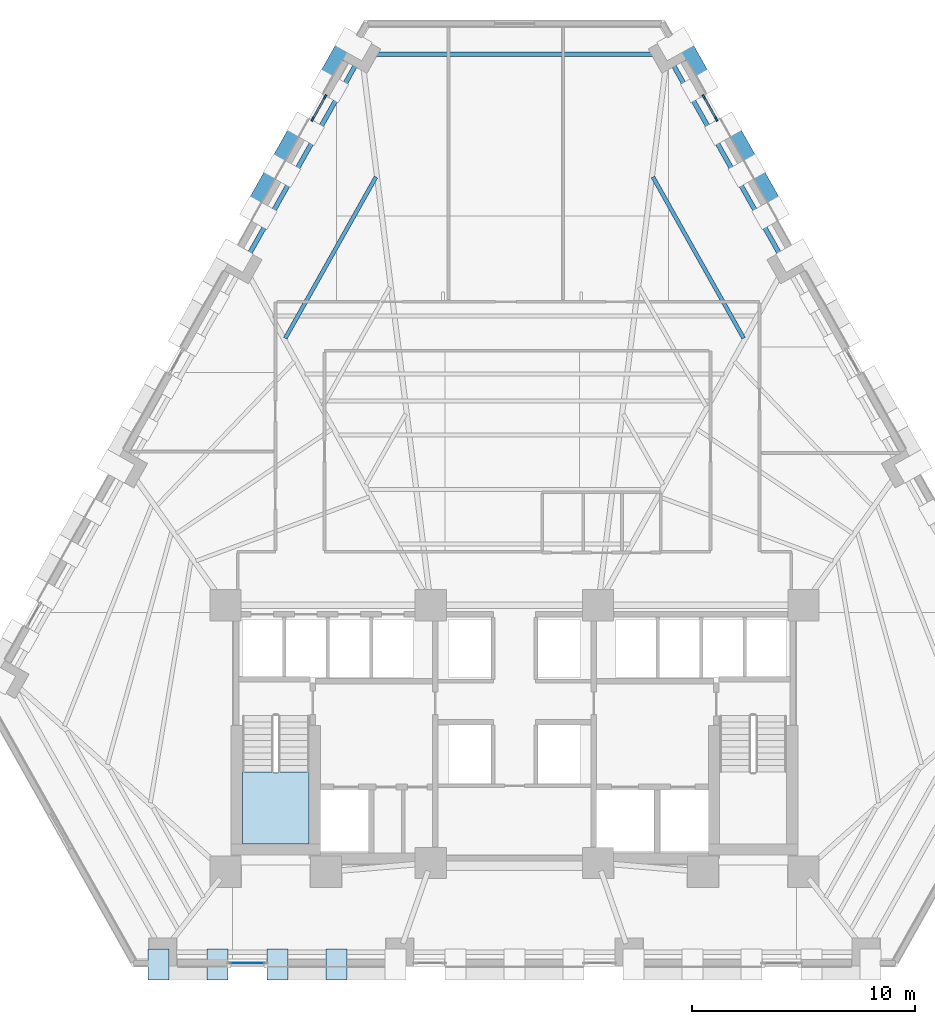
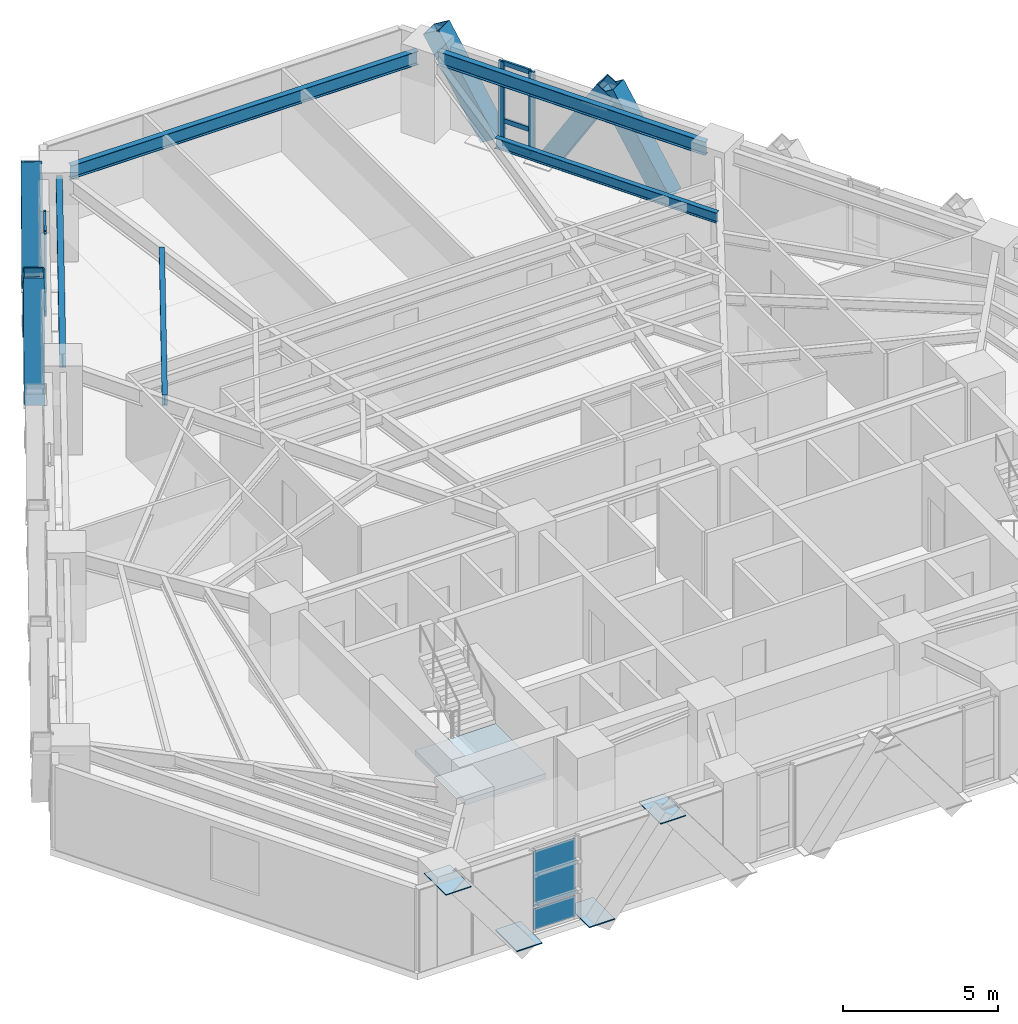
# One storey, part 5 of 13: 16 members, 6 plates, 5 beams, 1 slab, 4 elements without a shape of their own.
"""IFC4 building model written with IfcOpenShell, lengths in metres."""

import ifcopenshell
import ifcopenshell.guid

model = None  # the IFC model being written
_history = None  # IfcOwnerHistory: only IFC2X3 demands one
_inside = {}  # id of a spatial element -> (the spatial element, [elements in it])
_under = {}  # id of a project, library or spatial element -> (it, [spatial elements below it])
_declared = {}  # id of a project -> (the project, [libraries it declares])
_typed = {}  # id of a type object -> (the type object, [elements of that type])
_made_of = {}  # id of a material, layer set ... -> (it, [elements and type objects made of it])


def new_model(schema):
    """Start an empty IFC model of exactly this schema.

    Asked for "IFC4X3", IfcOpenShell would pick the latest addendum, in which some entities
    have other attributes; the version numbers below select the first issue.
    IFC2X3 requires an IfcOwnerHistory on every rooted entity: one is made here for all.
    """
    global model, _history
    if schema == "IFC4X3":
        model = ifcopenshell.file(schema_version=(4, 3, 0, 0))
    else:
        model = ifcopenshell.file(schema=schema)
    _inside.clear()
    _under.clear()
    _declared.clear()
    _typed.clear()
    _made_of.clear()
    _history = None
    if model.schema == "IFC2X3":
        org = make("IfcOrganization", Name="unknown")
        user = make(
            "IfcPersonAndOrganization",
            ThePerson=make("IfcPerson", FamilyName="unknown"),
            TheOrganization=org,
        )
        app = make(
            "IfcApplication",
            ApplicationDeveloper=org,
            Version="unknown",
            ApplicationFullName="unknown",
            ApplicationIdentifier="unknown",
        )
        _history = make(
            "IfcOwnerHistory",
            OwningUser=user,
            OwningApplication=app,
            ChangeAction="ADDED",
            CreationDate=0,
        )
    return model


def make(cls, **values):
    """One entity of the class cls with the attributes given. An attribute that is None is left unset."""
    return model.create_entity(
        cls, **{name: value for name, value in values.items() if value is not None}
    )


def rooted(cls, **values):
    """An entity with a GlobalId (a new one), such as an element, a storey or a relation."""
    return make(cls, GlobalId=ifcopenshell.guid.new(), OwnerHistory=_history, **values)


def si_unit(unit_type, name, prefix=None):
    """IfcSIUnit, for example si_unit("LENGTHUNIT", "METRE", prefix="MILLI")."""
    return make("IfcSIUnit", UnitType=unit_type, Prefix=prefix, Name=name)


def assignment(units):
    """IfcUnitAssignment: the units of a project."""
    return None if units is None else make("IfcUnitAssignment", Units=units)


def point(xyz):
    """IfcCartesianPoint."""
    return None if xyz is None else make("IfcCartesianPoint", Coordinates=xyz)


def direction(xyz):
    """IfcDirection."""
    return None if xyz is None else make("IfcDirection", DirectionRatios=xyz)


def frame(location, z_axis=None, x_axis=None):
    """IfcAxis2Placement3D, a coordinate frame: its origin and axes. An axis left out is left unset."""
    return make(
        "IfcAxis2Placement3D",
        Location=point(location),
        Axis=direction(z_axis),
        RefDirection=direction(x_axis),
    )


def frame_2d(location, x_axis=None):
    """IfcAxis2Placement2D, a coordinate frame in the plane: its origin and x axis."""
    return make(
        "IfcAxis2Placement2D", Location=point(location), RefDirection=direction(x_axis)
    )


def origin():
    """The frame at (0, 0, 0) with its axes left unset."""
    return frame((0.0, 0.0, 0.0))


def origin_2d():
    """The frame at (0, 0) in the plane with its x axis left unset."""
    return frame_2d((0.0, 0.0))


def place(relative_to, where):
    """IfcLocalPlacement: puts the frame where relative to a parent placement (None: the world)."""
    return make(
        "IfcLocalPlacement", PlacementRelTo=relative_to, RelativePlacement=where
    )


def context(
    kind, dimensions, precision=None, world=None, true_north=None, identifier=None
):
    """IfcGeometricRepresentationContext, for example the 3D "Model" context."""
    return make(
        "IfcGeometricRepresentationContext",
        ContextIdentifier=identifier,
        ContextType=kind,
        CoordinateSpaceDimension=dimensions,
        Precision=precision,
        WorldCoordinateSystem=world,
        TrueNorth=true_north,
    )


def subcontext(parent, identifier, kind, view, scale=None):
    """IfcGeometricRepresentationSubContext, for example "Body" below "Model"."""
    return make(
        "IfcGeometricRepresentationSubContext",
        ContextIdentifier=identifier,
        ContextType=kind,
        ParentContext=parent,
        TargetScale=scale,
        TargetView=view,
    )


def project(units=None, contexts=None):
    """IfcProject with its units and contexts."""
    return rooted(
        "IfcProject",
        Name="project",
        RepresentationContexts=contexts,
        UnitsInContext=assignment(units),
    )


def spatial(cls, under=None, at=None, **own):
    """A site, building, storey or space (cls), placed at a placement, below another one or the project."""
    s = rooted(cls, ObjectPlacement=at, **own)
    if under is not None:
        _under.setdefault(under.id(), (under, []))[1].append(s)
    return s


def polyline(points):
    """IfcPolyline through the points."""
    return make("IfcPolyline", Points=[point(p) for p in points])


def profile(cls, at=None, kind="AREA", **sizes):
    """A parametric profile (cls). Its sizes go by their IFC names, for example OverallWidth=200.0."""
    return make(cls, ProfileType=kind, Position=at, **sizes)


def rectangle(**sizes):
    """IfcRectangleProfileDef."""
    return profile("IfcRectangleProfileDef", **sizes)


def hollow_rectangle(**sizes):
    """IfcRectangleHollowProfileDef."""
    return profile("IfcRectangleHollowProfileDef", **sizes)


def i_section(**sizes):
    """IfcIShapeProfileDef."""
    return profile("IfcIShapeProfileDef", **sizes)


def outline(outer, holes=None, kind="AREA"):
    """IfcArbitraryClosedProfileDef: a profile drawn as a closed curve; with holes, ...WithVoids."""
    if holes is None:
        return make("IfcArbitraryClosedProfileDef", ProfileType=kind, OuterCurve=outer)
    return make(
        "IfcArbitraryProfileDefWithVoids",
        ProfileType=kind,
        OuterCurve=outer,
        InnerCurves=holes,
    )


def extrude(swept, where, along, depth):
    """IfcExtrudedAreaSolid: the profile swept, set in the frame where, extruded along a direction by depth."""
    return make(
        "IfcExtrudedAreaSolid",
        SweptArea=swept,
        Position=where,
        ExtrudedDirection=direction(along),
        Depth=depth,
    )


def shape(context_of_items, identifier, shape_type, items):
    """IfcShapeRepresentation: the items that make up one representation, for example the "Body"."""
    return make(
        "IfcShapeRepresentation",
        ContextOfItems=context_of_items,
        RepresentationIdentifier=identifier,
        RepresentationType=shape_type,
        Items=items,
    )


def material(Name=None, Category=None):
    """IfcMaterial."""
    return make("IfcMaterial", Name=Name, Category=Category)


def layer(
    of_material, thickness, ventilated=None, Name=None, Category=None, Priority=None
):
    """IfcMaterialLayer: one layer of a wall or slab, of a material (None: an air gap)."""
    return make(
        "IfcMaterialLayer",
        Material=of_material,
        LayerThickness=thickness,
        IsVentilated=ventilated,
        Name=Name,
        Category=Category,
        Priority=Priority,
    )


def layer_set(layers, Name=None):
    """IfcMaterialLayerSet."""
    return make("IfcMaterialLayerSet", MaterialLayers=layers, LayerSetName=Name)


def material_profile(
    of_material, cross_section, Name=None, Category=None, Priority=None
):
    """IfcMaterialProfile: a cross section and its material."""
    return make(
        "IfcMaterialProfile",
        Name=Name,
        Material=of_material,
        Profile=cross_section,
        Priority=Priority,
        Category=Category,
    )


def profile_set(profiles, Name=None, composite=None):
    """IfcMaterialProfileSet."""
    return make(
        "IfcMaterialProfileSet",
        Name=Name,
        MaterialProfiles=profiles,
        CompositeProfile=composite,
    )


def made_of(thing, what):
    """Note that an element or type object is made of a material, layer set ...; save() writes the relation."""
    if what is not None:
        _made_of.setdefault(what.id(), (what, []))[1].append(thing)
    return thing


def type_object(cls, material=None, **own):
    """A type object (cls), such as IfcWallType, which elements share."""
    return made_of(rooted(cls, **own), material)


def element(
    cls,
    number,
    at=None,
    inside=None,
    cuts=None,
    type_object=None,
    material=None,
    context=None,
    identifier="Body",
    shape_type=None,
    held_by="IfcProductDefinitionShape",
    body=None,
    shapes=None,
    **own,
):
    """One element of the class cls, such as IfcWall. Its Tag is "e" and its number.

    at: its placement. inside: the storey or other place that contains it. cuts: it is an
    opening in that element (IfcRelVoidsElement). A single representation is given by context,
    identifier, shape_type and body (its items); several are given by shapes. held_by: the class
    of the entity that holds the representations. save() writes the other relations.
    """
    e = rooted(cls, Tag="e%d" % number, ObjectPlacement=at, **own)
    if body is not None:
        shapes = [shape(context, identifier, shape_type, body)]
    if shapes is not None:
        e.Representation = make(held_by, Representations=shapes)
    if inside is not None:
        _inside.setdefault(inside.id(), (inside, []))[1].append(e)
    if cuts is not None:
        rooted(
            "IfcRelVoidsElement", RelatingBuildingElement=cuts, RelatedOpeningElement=e
        )
    if type_object is not None:
        _typed.setdefault(type_object.id(), (type_object, []))[1].append(e)
    return made_of(e, material)


def aggregate(whole, parts):
    """IfcRelAggregates: a whole, such as a stair, and the parts it consists of."""
    return rooted("IfcRelAggregates", RelatingObject=whole, RelatedObjects=parts)


def save(model, path):
    """Write the relations noted so far, then the file.

    IfcRelAggregates (storeys below a building ...), IfcRelContainedInSpatialStructure (elements
    in a storey), IfcRelDefinesByType, IfcRelAssociatesMaterial and IfcRelDeclares: one each for
    every whole, place, type object, material and project.
    """
    for whole, parts in _under.values():
        aggregate(whole, parts)
    for where, things in _inside.values():
        rooted(
            "IfcRelContainedInSpatialStructure",
            RelatedElements=things,
            RelatingStructure=where,
        )
    for kind, things in _typed.values():
        rooted("IfcRelDefinesByType", RelatedObjects=things, RelatingType=kind)
    for what, things in _made_of.values():
        rooted("IfcRelAssociatesMaterial", RelatedObjects=things, RelatingMaterial=what)
    for by, libraries in _declared.values():
        rooted("IfcRelDeclares", RelatingContext=by, RelatedDefinitions=libraries)
    model.write(path)


model = new_model("IFC4")

# Units and contexts
model_context = context("Model", 3, precision=1e-05, world=origin(), true_north=direction((0.0, 1.0)))
body_context = subcontext(model_context, "Body", "Model", "MODEL_VIEW")
ifc_project = project(units=[si_unit("LENGTHUNIT", "METRE"), si_unit("AREAUNIT", "SQUARE_METRE"), si_unit("VOLUMEUNIT", "CUBIC_METRE"), si_unit("PLANEANGLEUNIT", "RADIAN"), si_unit("MASSUNIT", "GRAM", prefix="KILO")], contexts=[model_context])

# Site, building, storey
site_placement = place(None, origin())
site = spatial("IfcSite", under=ifc_project, at=site_placement, CompositionType="ELEMENT")
building_placement = place(site_placement, origin())
building = spatial("IfcBuilding", under=site, at=building_placement, Name="Quenlor Broadcast Tower", CompositionType="ELEMENT")
storey_placement = place(building_placement, frame((0.0, 0.0, 55.60009765625)))
storey = spatial("IfcBuildingStorey", under=building, at=storey_placement, Name="L14", CompositionType="ELEMENT", Elevation=55.60009765625)

# Curtain wall, members
ifc_material_1 = material(Name="Architectural Terracotta and Low-E Glazing", Category="masonry")
curtain_wall_type = type_object("IfcCurtainWallType", Name="Unitised Terracotta Curtain Wall System Z1", PredefinedType="NOTDEFINED", material=ifc_material_1)
curtain_wall_1_placement = place(storey_placement, origin())
curtain_wall_1 = element("IfcCurtainWall", 1, at=curtain_wall_1_placement, inside=storey, type_object=curtain_wall_type, Name="L14 Curtain Wall CW1 (L14-NEA-G1)", PredefinedType="NOTDEFINED")
ifc_material_2 = material(Name="Aluminium 6063-T6", Category="aluminium")
ifc_material_profile_1 = material_profile(ifc_material_2, rectangle(XDim=0.080078125, YDim=0.219970703125, at=origin_2d()))
ifc_profile_set_1 = profile_set([ifc_material_profile_1], Name="Aluminium 6063-T6 MULL80x220")
member_type_1 = type_object("IfcMemberType", Name="CW1 Aluminium Mullion MULL_CW1", PredefinedType="MULLION", material=ifc_profile_set_1)
member_1_placement = place(storey_placement, frame((8.49072265625, 17.979248046875, 0.0), z_axis=(0.0, 0.0, 1.0), x_axis=(0.871602077703, 0.490214053392, 0.0)))
member_1 = element("IfcMember", 2, at=member_1_placement, type_object=member_type_1, Name="CW1 mullion 1", PredefinedType="MULLION", context=body_context, shape_type="SweptSolid", body=[
    extrude(rectangle(XDim=0.080078125, YDim=0.219970703125, at=origin_2d()), origin(), (0.0, 0.0, 1.0), 3.25),
])
member_2_placement = place(storey_placement, frame((9.043212890625, 16.99658203125, 0.0), z_axis=(0.0, 0.0, 1.0), x_axis=(0.871602077703, 0.490214053392, 0.0)))
member_2 = element("IfcMember", 3, at=member_2_placement, type_object=member_type_1, Name="CW1 mullion 2", PredefinedType="MULLION", context=body_context, shape_type="SweptSolid", body=[
    extrude(rectangle(XDim=0.080078125, YDim=0.219970703125, at=origin_2d()), origin(), (0.0, 0.0, 1.0), 3.25),
])

curtain_wall_2_placement = place(storey_placement, origin())
curtain_wall_2 = element("IfcCurtainWall", 4, at=curtain_wall_2_placement, inside=storey, type_object=curtain_wall_type, Name="L14 Curtain Wall CW1 (L14-NWC-G1)", PredefinedType="NOTDEFINED")
member_3_placement = place(storey_placement, frame((-9.043212890625, 16.99658203125, 0.0), z_axis=(0.0, 0.0, 1.0), x_axis=(-0.871602077703, 0.490214053392, 0.0)))
member_3 = element("IfcMember", 5, at=member_3_placement, type_object=member_type_1, Name="CW1 mullion 1", PredefinedType="MULLION", context=body_context, shape_type="SweptSolid", body=[
    extrude(rectangle(XDim=0.080078125, YDim=0.219970703125, at=origin_2d()), origin(), (0.0, 0.0, 1.0), 3.25),
])
member_4_placement = place(storey_placement, frame((-8.49072265625, 17.979248046875, 0.0), z_axis=(0.0, 0.0, 1.0), x_axis=(-0.871602077703, 0.490214053392, 0.0)))
member_4 = element("IfcMember", 6, at=member_4_placement, type_object=member_type_1, Name="CW1 mullion 2", PredefinedType="MULLION", context=body_context, shape_type="SweptSolid", body=[
    extrude(rectangle(XDim=0.080078125, YDim=0.219970703125, at=origin_2d()), origin(), (0.0, 0.0, 1.0), 3.25),
])

# Member
ifc_material_3 = material(Name="Aluminium 6063-T6", Category="aluminium")
ifc_material_profile_2 = material_profile(ifc_material_3, rectangle(XDim=0.080078125, YDim=0.179931640625, at=origin_2d()))
ifc_profile_set_2 = profile_set([ifc_material_profile_2], Name="Aluminium 6063-T6 TRAN80x180")
member_type_2 = type_object("IfcMemberType", Name="CW1 Aluminium Transom TRAN_CW1", PredefinedType="USERDEFINED", material=ifc_profile_set_2)
member_5_placement = place(storey_placement, frame((8.51025390625, 17.9443359375, 0.039794921875), z_axis=(0.490228036821, -0.871594212874, 0.0), x_axis=(0.871594212874, 0.490228036821, 0.0)))
member_5 = element("IfcMember", 7, at=member_5_placement, type_object=member_type_2, Name="CW1 transom 1.1", ObjectType="TRANSOM", PredefinedType="USERDEFINED", context=body_context, shape_type="SweptSolid", body=[
    extrude(rectangle(XDim=0.080078125, YDim=0.179931640625, at=origin_2d()), origin(), (0.0, 0.0, 1.0), 1.04736328125),
])

member_6_placement = place(storey_placement, frame((8.51025390625, 17.9443359375, 0.949951171875), z_axis=(0.490228036821, -0.871594212874, 0.0), x_axis=(0.871594212874, 0.490228036821, 0.0)))
member_6 = element("IfcMember", 8, at=member_6_placement, type_object=member_type_2, Name="CW1 transom 1.2", ObjectType="TRANSOM", PredefinedType="USERDEFINED", context=body_context, shape_type="SweptSolid", body=[
    extrude(rectangle(XDim=0.080078125, YDim=0.179931640625, at=origin_2d()), origin(), (0.0, 0.0, 1.0), 1.04736328125),
])

member_7_placement = place(storey_placement, frame((8.51025390625, 17.9443359375, 3.2099609375), z_axis=(0.490228036821, -0.871594212874, 0.0), x_axis=(0.871594212874, 0.490228036821, 0.0)))
member_7 = element("IfcMember", 9, at=member_7_placement, type_object=member_type_2, Name="CW1 transom 1.3", ObjectType="TRANSOM", PredefinedType="USERDEFINED", context=body_context, shape_type="SweptSolid", body=[
    extrude(rectangle(XDim=0.080078125, YDim=0.179931640625, at=origin_2d()), origin(), (0.0, 0.0, 1.0), 1.04736328125),
])

aggregate(curtain_wall_1, [member_1, member_2, member_5, member_6, member_7])

member_8_placement = place(storey_placement, frame((-9.023681640625, 17.031494140625, 0.039794921875), z_axis=(0.490228036821, 0.871594212874, 0.0), x_axis=(-0.871594212874, 0.490228036821, 0.0)))
member_8 = element("IfcMember", 10, at=member_8_placement, type_object=member_type_2, Name="CW1 transom 1.1", ObjectType="TRANSOM", PredefinedType="USERDEFINED", context=body_context, shape_type="SweptSolid", body=[
    extrude(rectangle(XDim=0.080078125, YDim=0.179931640625, at=origin_2d()), origin(), (0.0, 0.0, 1.0), 1.04736328125),
])

member_9_placement = place(storey_placement, frame((-9.023681640625, 17.031494140625, 0.949951171875), z_axis=(0.490228036821, 0.871594212874, 0.0), x_axis=(-0.871594212874, 0.490228036821, 0.0)))
member_9 = element("IfcMember", 11, at=member_9_placement, type_object=member_type_2, Name="CW1 transom 1.2", ObjectType="TRANSOM", PredefinedType="USERDEFINED", context=body_context, shape_type="SweptSolid", body=[
    extrude(rectangle(XDim=0.080078125, YDim=0.179931640625, at=origin_2d()), origin(), (0.0, 0.0, 1.0), 1.04736328125),
])

member_10_placement = place(storey_placement, frame((-9.023681640625, 17.031494140625, 3.2099609375), z_axis=(0.490228036821, 0.871594212874, 0.0), x_axis=(-0.871594212874, 0.490228036821, 0.0)))
member_10 = element("IfcMember", 12, at=member_10_placement, type_object=member_type_2, Name="CW1 transom 1.3", ObjectType="TRANSOM", PredefinedType="USERDEFINED", context=body_context, shape_type="SweptSolid", body=[
    extrude(rectangle(XDim=0.080078125, YDim=0.179931640625, at=origin_2d()), origin(), (0.0, 0.0, 1.0), 1.04736328125),
])

aggregate(curtain_wall_2, [member_3, member_4, member_8, member_9, member_10])

# Members
ifc_material_4 = material(Name="Steel S355", Category="steel")
ifc_material_profile_3 = material_profile(ifc_material_4, hollow_rectangle(XDim=0.679931640625, YDim=0.679931640625, WallThickness=0.034912109375, at=origin_2d()))
ifc_profile_set_3 = profile_set([ifc_material_profile_3], Name="Steel S355 RHS680x680x35")
member_type_3 = type_object("IfcMemberType", Name="Perimeter Diagonal Lattice Brace Z1 Steel S355 RHS680x35", PredefinedType="BRACE", material=ifc_profile_set_3)
for number, where, z_axis, x_axis, name in (
    (13, (9.650390625, 16.722900390625, -0.1201171875), (0.256375341489, -0.45579159737, 0.852364771705), (0.871581609758, 0.490250443683, 0.0), "L14 Perimeter Diamond Lattice NE-C1S"),
    (14, (8.572021484375, 18.64013671875, -0.1201171875), (-0.256375341489, 0.45579159737, 0.852364771705), (-0.871581609758, -0.490250443683, 0.0), "L14 Perimeter Diamond Lattice NE-C1B"),
    (15, (11.768798828125, 12.95703125, -0.1201171875), (-0.256375341489, 0.45579159737, 0.852364771705), (-0.871581609758, -0.490250443683, 0.0), "L14 Perimeter Diamond Lattice NE-C2B"),
    (16, (-11.768798828125, 12.95703125, -0.1201171875), (0.256375341489, 0.45579159737, 0.852364771705), (-0.871581609758, 0.490250443683, 0.0), "L14 Perimeter Diamond Lattice NW-C4S"),
    (17, (-8.572021484375, 18.64013671875, -0.1201171875), (0.256375341489, 0.45579159737, 0.852364771705), (-0.871581609758, 0.490250443683, 0.0), "L14 Perimeter Diamond Lattice NW-C5S"),
    (18, (-9.650390625, 16.722900390625, -0.1201171875), (-0.256375341489, -0.45579159737, 0.852364771705), (0.871581609758, -0.490250443683, 0.0), "L14 Perimeter Diamond Lattice NW-C5B"),
):
    element("IfcMember", number, at=place(storey_placement, frame(where, z_axis=z_axis, x_axis=x_axis)), inside=storey, type_object=member_type_3, Name=name, PredefinedType="BRACE", context=body_context, shape_type="SweptSolid", body=[
        extrude(hollow_rectangle(XDim=0.679931640625, YDim=0.679931640625, WallThickness=0.034912109375, at=origin_2d()), origin(), (0.0, 0.0, 1.0), 4.106201171875),
    ])

# Beams
ifc_material_5 = material(Name="Steel S355", Category="steel")
ifc_material_profile_4 = material_profile(ifc_material_5, i_section(OverallWidth=0.208984375, OverallDepth=0.532958984375, WebThickness=0.01025390625, FlangeThickness=0.015625, FilletRadius=0.013916015625, at=origin_2d()))
ifc_profile_set_4 = profile_set([ifc_material_profile_4], Name="Steel S355 530UB92.4")
beam_type_1 = type_object("IfcBeamType", Name="Perimeter Spandrel Beam Z1 Steel S355 530UB92.4", PredefinedType="SPANDREL", material=ifc_profile_set_4)
beam_1_placement = place(storey_placement, frame((11.962158203125, 10.80810546875, 2.9833984375), z_axis=(-0.490257767622, 0.871577490121, 0.0), x_axis=(-0.871577490121, -0.490257767622, 0.0)))
element("IfcBeam", 19, at=beam_1_placement, inside=storey, type_object=beam_type_1, Name="L14 Spandrel Beam NE3-NE4", PredefinedType="SPANDREL", context=body_context, shape_type="SweptSolid", body=[
    extrude(i_section(OverallWidth=0.208984375, OverallDepth=0.532958984375, WebThickness=0.01025390625, FlangeThickness=0.015625, FilletRadius=0.013916015625, at=origin_2d()), origin(), (0.0, 0.0, 1.0), 10.015380859375),
])
beam_2_placement = place(storey_placement, frame((6.44091796875, 19.894775390625, 2.9833984375), z_axis=(-1.0, 0.0, 0.0), x_axis=(0.0, -1.0, 0.0)))
element("IfcBeam", 20, at=beam_2_placement, inside=storey, type_object=beam_type_1, Name="L14 Spandrel Beam NE4-NW1", PredefinedType="SPANDREL", context=body_context, shape_type="SweptSolid", body=[
    extrude(i_section(OverallWidth=0.208984375, OverallDepth=0.532958984375, WebThickness=0.01025390625, FlangeThickness=0.015625, FilletRadius=0.013916015625, at=origin_2d()), origin(), (0.0, 0.0, 1.0), 12.8818359375),
])
beam_3_placement = place(storey_placement, frame((-7.052001953125, 19.537353515625, 2.9833984375), z_axis=(-0.490257767622, -0.871577490121, 0.0), x_axis=(0.871577490121, -0.490257767622, 0.0)))
element("IfcBeam", 21, at=beam_3_placement, inside=storey, type_object=beam_type_1, Name="L14 Spandrel Beam NW1-NW2", PredefinedType="SPANDREL", context=body_context, shape_type="SweptSolid", body=[
    extrude(i_section(OverallWidth=0.208984375, OverallDepth=0.532958984375, WebThickness=0.01025390625, FlangeThickness=0.015625, FilletRadius=0.013916015625, at=origin_2d()), origin(), (0.0, 0.0, 1.0), 10.015380859375),
])
ifc_material_6 = material(Name="Steel S355", Category="steel")
ifc_material_profile_5 = material_profile(ifc_material_6, i_section(OverallWidth=0.177978515625, OverallDepth=0.406494140625, WebThickness=0.0078125, FlangeThickness=0.0126953125, FilletRadius=0.011474609375, at=origin_2d()))
ifc_profile_set_5 = profile_set([ifc_material_profile_5], Name="Steel S355 410UB59.7")
beam_type_2 = type_object("IfcBeamType", Name="Tower Composite Joist Z1 Steel S355 410UB59.7", PredefinedType="JOIST", material=ifc_profile_set_5)
for number, where, z_axis, x_axis, name in (
    (22, (-6.2080078125, 14.39208984375, 3.046630859375), (-0.490248658014, -0.871582614166, 0.0), (0.871582614166, -0.490248658014, 0.0), "L14 Secondary Composite Joist 27"),
    (23, (6.2080078125, 14.39208984375, 3.046630859375), (0.490248658014, -0.871582614166, 0.0), (0.871582614166, 0.490248658014, 0.0), "L14 Secondary Composite Joist 30"),
):
    element("IfcBeam", number, at=place(storey_placement, frame(where, z_axis=z_axis, x_axis=x_axis)), inside=storey, type_object=beam_type_2, Name=name, PredefinedType="JOIST", context=body_context, shape_type="SweptSolid", body=[
        extrude(i_section(OverallWidth=0.177978515625, OverallDepth=0.406494140625, WebThickness=0.0078125, FlangeThickness=0.0126953125, FilletRadius=0.011474609375, at=origin_2d()), origin(), (0.0, 0.0, 1.0), 8.29150390625),
    ])

# Curtain wall, plates
curtain_wall_3_placement = place(storey_placement, origin())
curtain_wall_3 = element("IfcCurtainWall", 24, at=curtain_wall_3_placement, inside=storey, type_object=curtain_wall_type, Name="L14 Curtain Wall CW1 (L14-SC-G1)", PredefinedType="NOTDEFINED")
ifc_material_7 = material(Name="Double Glazed Low-E Solar Glass", Category="glass")
ifc_layer_1 = layer(ifc_material_7, 0.031982421875)
ifc_layer_set_1 = layer_set([ifc_layer_1], Name="CW1 Double Glazed Vision Panel 32")
plate_type_1 = type_object("IfcPlateType", Name="CW1 Double Glazed Vision Panel 32", PredefinedType="CURTAIN_PANEL", material=ifc_layer_set_1)
plate_1_placement = place(storey_placement, frame((-11.970703125, -20.840087890625, 0.079833984375), z_axis=(0.0, 0.0, 1.0), x_axis=(-1.0, 0.0, 0.0)))
plate_1 = element("IfcPlate", 25, at=plate_1_placement, type_object=plate_type_1, Name="CW1 panel 1.1", PredefinedType="CURTAIN_PANEL", context=body_context, shape_type="SweptSolid", body=[
    extrude(rectangle(XDim=1.568359375, YDim=0.031982421875, at=origin_2d()), origin(), (0.0, 0.0, 1.0), 0.830078125),
])
plate_2_placement = place(storey_placement, frame((-11.970703125, -20.840087890625, 0.98974609375), z_axis=(0.0, 0.0, 1.0), x_axis=(-1.0, 0.0, 0.0)))
plate_2 = element("IfcPlate", 26, at=plate_2_placement, type_object=plate_type_1, Name="CW1 panel 1.2", PredefinedType="CURTAIN_PANEL", context=body_context, shape_type="SweptSolid", body=[
    extrude(rectangle(XDim=1.568359375, YDim=0.031982421875, at=origin_2d()), origin(), (0.0, 0.0, 1.0), 2.179931640625),
])
aggregate(curtain_wall_3, [plate_1, plate_2])

# Stair, slab
ifc_material_8 = material(Name="Precast concrete C40/50", Category="concrete")
stair_type = type_object("IfcStairType", Name="Precast Concrete C40/50 Dogleg Stair H350", PredefinedType="HALF_TURN_STAIR", material=ifc_material_8)
stair_placement = place(storey_placement, origin())
stair = element("IfcStair", 27, at=stair_placement, inside=storey, type_object=stair_type, Name="L14 West Core Fire-Isolated Exit Stair ST-1", PredefinedType="HALF_TURN_STAIR")
ifc_material_9 = material(Name="Precast concrete C40/50", Category="concrete")
ifc_layer_2 = layer(ifc_material_9, 0.199951171875)
ifc_layer_set_2 = layer_set([ifc_layer_2], Name="Precast Concrete C40/50 Stair Landing Slab 200")
slab_type = type_object("IfcSlabType", Name="Precast Concrete C40/50 Stair Landing Slab 200", PredefinedType="LANDING", material=ifc_layer_set_2)
slab_placement = place(storey_placement, frame((0.0, 0.0, 1.5498046875)))
slab = element("IfcSlab", 28, at=slab_placement, type_object=slab_type, Name="ST-1 landing 1", PredefinedType="LANDING", context=body_context, shape_type="SweptSolid", body=[
    extrude(outline(polyline([(-12.199951171875, -12.27001953125), (-12.199951171875, -15.5), (-9.199951171875, -15.5), (-9.199951171875, -12.27001953125), (-12.199951171875, -12.27001953125)])), origin(), (0.0, 0.0, 1.0), 0.2001953125),
])
aggregate(stair, [slab])

# Plates
ifc_material_10 = material(Name="Steel S355", Category="steel")
ifc_layer_3 = layer(ifc_material_10, 0.035888671875)
ifc_layer_set_3 = layer_set([ifc_layer_3], Name="Transfer Truss Steel S355 Gusset Node Plate 1400x950x36")
plate_type_2 = type_object("IfcPlateType", Name="Transfer Truss Steel S355 Gusset Node Plate 1400x950x36", PredefinedType="SHEET", material=ifc_layer_set_3)
for number, where, z_axis, x_axis, name in (
    (29, (-7.98046875, -20.89990234375, 3.18212890625), (0.0, 0.0, 1.0), (0.0, -1.0, 0.0), "L14 Lattice Tie Gusset Node S-T9"),
    (30, (-13.31689453125, -20.89990234375, 0.0419921875), (0.0, 0.0, 1.0), (0.0, -1.0, 0.0), "L14 Lattice Tie Gusset Node S-B11"),
    (31, (-15.9609375, -20.89990234375, 3.18212890625), (0.0, 0.0, 1.0), (0.0, -1.0, 0.0), "L14 Lattice Tie Gusset Node S-T12"),
    (32, (-10.624755859375, -20.89990234375, 0.0419921875), (0.0, 0.0, 1.0), (0.0, -1.0, 0.0), "L14 Lattice Tie Gusset Node S-B10"),
):
    element("IfcPlate", number, at=place(storey_placement, frame(where, z_axis=z_axis, x_axis=x_axis)), inside=storey, type_object=plate_type_2, Name=name, PredefinedType="SHEET", context=body_context, shape_type="SweptSolid", body=[
        extrude(rectangle(XDim=1.39990234375, YDim=0.949951171875, at=origin_2d()), origin(), (0.0, 0.0, 1.0), 0.035888671875),
    ])

save(model, "model.ifc")
